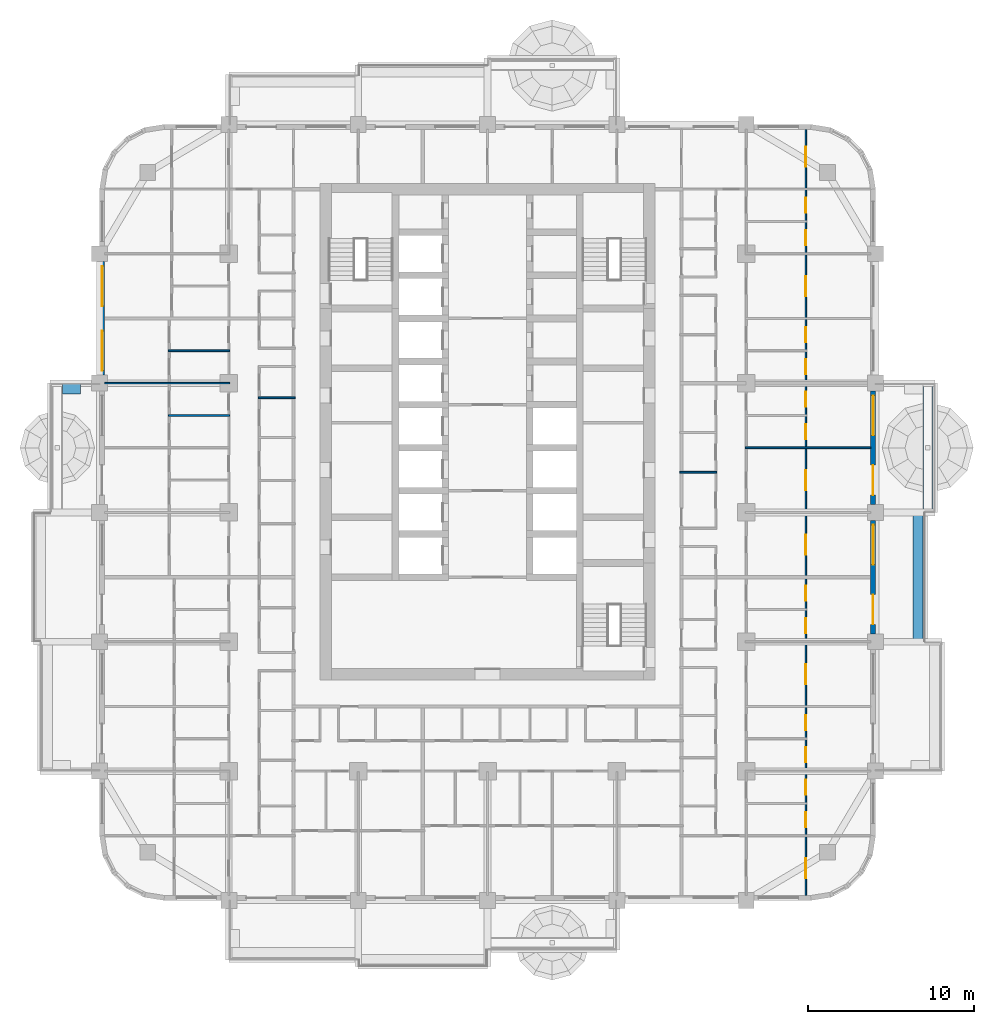
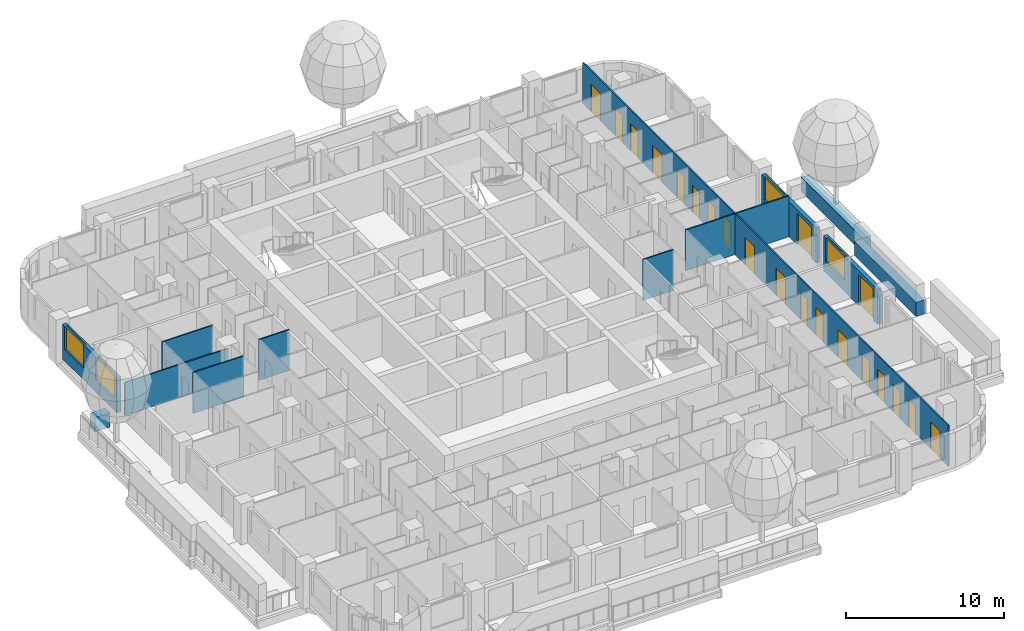
# One storey, part 9 of 18: 20 doors, 13 walls, 4 windows, 24 openings.
"""IFC4 building model written with IfcOpenShell, lengths in metres."""

from ifc_helpers import new_model, si_unit, direction, frame, frame_2d, origin, place, context, subcontext, project, spatial, rectangle, extrude, material, layer, layer_set, type_object, element, fill, save


model = new_model("IFC4")

# Units and contexts
model_context = context("Model", 3, precision=1e-05, world=origin(), true_north=direction((0.0, 1.0)))
body_context = subcontext(model_context, "Body", "Model", "MODEL_VIEW")
ifc_project = project(units=[si_unit("LENGTHUNIT", "METRE"), si_unit("AREAUNIT", "SQUARE_METRE"), si_unit("VOLUMEUNIT", "CUBIC_METRE"), si_unit("PLANEANGLEUNIT", "RADIAN"), si_unit("MASSUNIT", "GRAM", prefix="KILO")], contexts=[model_context])

# Site, building, storey
site_placement = place(None, origin())
site = spatial("IfcSite", under=ifc_project, at=site_placement, CompositionType="ELEMENT")
building_placement = place(site_placement, origin())
building = spatial("IfcBuilding", under=site, at=building_placement, Name="Ludao Terraces", CompositionType="ELEMENT")
storey_placement = place(building_placement, frame((0.0, 0.0, 58.0)))
storey = spatial("IfcBuildingStorey", under=building, at=storey_placement, Name="L15", CompositionType="ELEMENT", Elevation=58.0)

# Walls
ifc_material_1 = material(Name="Concrete C40", Category="concrete")
ifc_layer_1 = layer(ifc_material_1, 0.60009765625)
ifc_layer_set_1 = layer_set([ifc_layer_1], Name="ENV Planter trough 600")
wall_type_1 = type_object("IfcWallType", Name="ENV Planter trough 600", PredefinedType="USERDEFINED", material=ifc_layer_set_1)
for number, where, z_axis, x_axis, name in (
    (1, (110.949951171875, 57.199951171875, 0.0), (0.0, 0.0, 1.0), (0.0, 1.0, 0.0), "PL-L15-E2"),
    (2, (111.550048828125, 65.0, 0.0), (0.0, 0.0, 1.0), (0.0, 1.0, 0.0), "PL-L15-E3"),
):
    element("IfcWall", number, at=place(storey_placement, frame(where, z_axis=z_axis, x_axis=x_axis)), inside=storey, type_object=wall_type_1, Name=name, ObjectType="PLANTER", PredefinedType="USERDEFINED", context=body_context, shape_type="SweptSolid", body=[
        extrude(rectangle(XDim=7.800048828125, YDim=0.60009765625, at=frame_2d((3.89990234375, 0.0))), origin(), (0.0, 0.0, 1.0), 1.10009765625),
    ])
wall_1_placement = place(storey_placement, frame((59.35009765625, 72.449951171875, 0.0), z_axis=(0.0, 0.0, 1.0), x_axis=(1.0, 0.0, 0.0)))
element("IfcWall", 3, at=wall_1_placement, inside=storey, type_object=wall_type_1, Name="PL-L15-W3-SB", ObjectType="PLANTER", PredefinedType="USERDEFINED", context=body_context, shape_type="SweptSolid", body=[
    extrude(rectangle(XDim=1.099853515625, YDim=0.60009765625, at=frame_2d((0.5498046875, 0.0))), origin(), (0.0, 0.0, 1.0), 1.10009765625),
])

# Wall, openings, door, window
ifc_material_2 = material(Name="Granite cladding", Category="masonry")
ifc_layer_2 = layer(ifc_material_2, 0.0400390625, Category="stone")
ifc_material_3 = material(Name="Mineral wool")
ifc_layer_3 = layer(ifc_material_3, 0.06005859375)
ifc_layer_4 = layer(ifc_material_1, 0.199951171875, Category="concrete")
ifc_layer_set_2 = layer_set([ifc_layer_2, ifc_layer_3, ifc_layer_4], Name="ENV Stone-clad wall 300")
wall_type_2 = type_object("IfcWallType", Name="ENV Stone-clad wall 300", PredefinedType="SOLIDWALL", material=ifc_layer_set_2)
wall_2_placement = place(storey_placement, frame((108.25, 57.675048828125, 0.0), z_axis=(0.0, 0.0, 1.0), x_axis=(0.0, 1.0, 0.0)))
wall_2 = element("IfcWall", 4, at=wall_2_placement, inside=storey, type_object=wall_type_2, Name="EW-L15-E3", PredefinedType="SOLIDWALL", context=body_context, shape_type="SweptSolid", body=[
    extrude(rectangle(XDim=6.849853515625, YDim=0.300048828125, at=frame_2d((3.4248046875, 0.0))), origin(), (0.0, 0.0, 1.0), 2.699951171875),
])
opening_1_placement = place(wall_2_placement, frame((0.574951171875, 0.0, 0.0)))
opening_1 = element("IfcOpeningElement", 5, at=opening_1_placement, cuts=wall_2, Name="Opening BD", PredefinedType="OPENING", context=body_context, shape_type="SweptSolid", body=[
    extrude(rectangle(XDim=1.800048828125, YDim=2.39990234375, at=frame_2d((0.89990234375, 1.199951171875))), frame((0.0, 0.16015625, 0.0), z_axis=(0.0, -1.0, 0.0), x_axis=(1.0, 0.0, 0.0)), (0.0, 0.0, 1.0), 0.320068359375),
])
opening_2_placement = place(wall_2_placement, frame((4.175048828125, 0.0, 0.89990234375)))
opening_2 = element("IfcOpeningElement", 6, at=opening_2_placement, cuts=wall_2, Name="Opening W1", PredefinedType="OPENING", context=body_context, shape_type="SweptSolid", body=[
    extrude(rectangle(XDim=2.39990234375, YDim=1.800048828125, at=frame_2d((1.199951171875, 0.89990234375))), frame((0.0, 0.16015625, 0.0), z_axis=(0.0, -1.0, 0.0), x_axis=(1.0, 0.0, 0.0)), (0.0, 0.0, 1.0), 0.320068359375),
])
ifc_material_4 = material(Name="Aluminium glazed door", Category="aluminium")
ifc_layer_5 = layer(ifc_material_4, 0.06005859375)
ifc_layer_set_3 = layer_set([ifc_layer_5], Name="ENV Balcony door BD 1800x2400")
door_type_1 = type_object("IfcDoorType", Name="ENV Balcony door BD 1800x2400", OperationType="DOUBLE_DOOR_SINGLE_SWING", PredefinedType="DOOR", material=ifc_layer_set_3)
door_1_placement = place(opening_1_placement, origin())
door_1 = element("IfcDoor", 7, at=door_1_placement, inside=storey, type_object=door_type_1, Name="BD-L15-E3-1", OperationType="DOUBLE_DOOR_SINGLE_SWING", OverallHeight=2.39990234375, OverallWidth=1.800048828125, PredefinedType="DOOR", context=body_context, shape_type="SweptSolid", body=[
    extrude(rectangle(XDim=1.800048828125, YDim=2.39990234375, at=frame_2d((0.89990234375, 1.199951171875))), frame((0.0, 0.02490234375, 0.0), z_axis=(0.0, -1.0, 0.0), x_axis=(1.0, 0.0, 0.0)), (0.0, 0.0, 1.0), 0.050048828125),
])
fill(opening_1, door_1)
ifc_material_5 = material(Name="Clear glass in aluminium frame", Category="aluminium")
ifc_layer_6 = layer(ifc_material_5, 0.06005859375)
ifc_layer_set_4 = layer_set([ifc_layer_6], Name="ENV Window W1 2400x1800")
window_type = type_object("IfcWindowType", Name="ENV Window W1 2400x1800", PartitioningType="DOUBLE_PANEL_VERTICAL", PredefinedType="WINDOW", material=ifc_layer_set_4)
window_1_placement = place(opening_2_placement, origin())
window_1 = element("IfcWindow", 8, at=window_1_placement, inside=storey, type_object=window_type, Name="W-L15-E3-2", OverallHeight=1.800048828125, OverallWidth=2.39990234375, PartitioningType="DOUBLE_PANEL_VERTICAL", PredefinedType="WINDOW", context=body_context, shape_type="SweptSolid", body=[
    extrude(rectangle(XDim=2.39990234375, YDim=1.800048828125, at=frame_2d((1.199951171875, 0.89990234375))), frame((0.0, 0.030029296875, 0.0), z_axis=(0.0, -1.0, 0.0), x_axis=(1.0, 0.0, 0.0)), (0.0, 0.0, 1.0), 0.06005859375),
])
fill(opening_2, window_1)

wall_3_placement = place(storey_placement, frame((108.25, 65.47509765625, 0.0), z_axis=(0.0, 0.0, 1.0), x_axis=(0.0, 1.0, 0.0)))
wall_3 = element("IfcWall", 9, at=wall_3_placement, inside=storey, type_object=wall_type_2, Name="EW-L15-E4", PredefinedType="SOLIDWALL", context=body_context, shape_type="SweptSolid", body=[
    extrude(rectangle(XDim=6.849853515625, YDim=0.300048828125, at=frame_2d((3.4248046875, 0.0))), origin(), (0.0, 0.0, 1.0), 2.699951171875),
])
opening_3_placement = place(wall_3_placement, frame((0.574951171875, 0.0, 0.0)))
opening_3 = element("IfcOpeningElement", 10, at=opening_3_placement, cuts=wall_3, Name="Opening BD", PredefinedType="OPENING", context=body_context, shape_type="SweptSolid", body=[
    extrude(rectangle(XDim=1.800048828125, YDim=2.39990234375, at=frame_2d((0.89990234375, 1.199951171875))), frame((0.0, 0.16015625, 0.0), z_axis=(0.0, -1.0, 0.0), x_axis=(1.0, 0.0, 0.0)), (0.0, 0.0, 1.0), 0.320068359375),
])
opening_4_placement = place(wall_3_placement, frame((4.175048828125, 0.0, 0.89990234375)))
opening_4 = element("IfcOpeningElement", 11, at=opening_4_placement, cuts=wall_3, Name="Opening W1", PredefinedType="OPENING", context=body_context, shape_type="SweptSolid", body=[
    extrude(rectangle(XDim=2.39990234375, YDim=1.800048828125, at=frame_2d((1.199951171875, 0.89990234375))), frame((0.0, 0.16015625, 0.0), z_axis=(0.0, -1.0, 0.0), x_axis=(1.0, 0.0, 0.0)), (0.0, 0.0, 1.0), 0.320068359375),
])
door_2_placement = place(opening_3_placement, origin())
door_2 = element("IfcDoor", 12, at=door_2_placement, inside=storey, type_object=door_type_1, Name="BD-L15-E4-1", OperationType="DOUBLE_DOOR_SINGLE_SWING", OverallHeight=2.39990234375, OverallWidth=1.800048828125, PredefinedType="DOOR", context=body_context, shape_type="SweptSolid", body=[
    extrude(rectangle(XDim=1.800048828125, YDim=2.39990234375, at=frame_2d((0.89990234375, 1.199951171875))), frame((0.0, 0.02490234375, 0.0), z_axis=(0.0, -1.0, 0.0), x_axis=(1.0, 0.0, 0.0)), (0.0, 0.0, 1.0), 0.050048828125),
])
fill(opening_3, door_2)
window_2_placement = place(opening_4_placement, origin())
window_2 = element("IfcWindow", 13, at=window_2_placement, inside=storey, type_object=window_type, Name="W-L15-E4-2", OverallHeight=1.800048828125, OverallWidth=2.39990234375, PartitioningType="DOUBLE_PANEL_VERTICAL", PredefinedType="WINDOW", context=body_context, shape_type="SweptSolid", body=[
    extrude(rectangle(XDim=2.39990234375, YDim=1.800048828125, at=frame_2d((1.199951171875, 0.89990234375))), frame((0.0, 0.030029296875, 0.0), z_axis=(0.0, -1.0, 0.0), x_axis=(1.0, 0.0, 0.0)), (0.0, 0.0, 1.0), 0.06005859375),
])
fill(opening_4, window_2)

# Wall, openings, windows
wall_4_placement = place(storey_placement, frame((61.75, 73.27490234375, 0.0), z_axis=(0.0, 0.0, 1.0), x_axis=(0.0, 1.0, 0.0)))
wall_4 = element("IfcWall", 14, at=wall_4_placement, inside=storey, type_object=wall_type_2, Name="EW-L15-W5", PredefinedType="SOLIDWALL", context=body_context, shape_type="SweptSolid", body=[
    extrude(rectangle(XDim=6.85009765625, YDim=0.300048828125, at=frame_2d((3.425048828125, 0.0))), origin(), (0.0, 0.0, 1.0), 2.699951171875),
])
opening_5_placement = place(wall_4_placement, frame((0.27490234375, 0.0, 0.89990234375)))
opening_5 = element("IfcOpeningElement", 15, at=opening_5_placement, cuts=wall_4, Name="Opening W1", PredefinedType="OPENING", context=body_context, shape_type="SweptSolid", body=[
    extrude(rectangle(XDim=2.39990234375, YDim=1.800048828125, at=frame_2d((1.199951171875, 0.89990234375))), frame((0.0, 0.16015625, 0.0), z_axis=(0.0, -1.0, 0.0), x_axis=(1.0, 0.0, 0.0)), (0.0, 0.0, 1.0), 0.320068359375),
])
opening_6_placement = place(wall_4_placement, frame((4.175048828125, 0.0, 0.89990234375)))
opening_6 = element("IfcOpeningElement", 16, at=opening_6_placement, cuts=wall_4, Name="Opening W1", PredefinedType="OPENING", context=body_context, shape_type="SweptSolid", body=[
    extrude(rectangle(XDim=2.39990234375, YDim=1.800048828125, at=frame_2d((1.199951171875, 0.89990234375))), frame((0.0, 0.16015625, 0.0), z_axis=(0.0, -1.0, 0.0), x_axis=(1.0, 0.0, 0.0)), (0.0, 0.0, 1.0), 0.320068359375),
])
window_3_placement = place(opening_5_placement, origin())
window_3 = element("IfcWindow", 17, at=window_3_placement, inside=storey, type_object=window_type, Name="W-L15-W5-1", OverallHeight=1.800048828125, OverallWidth=2.39990234375, PartitioningType="DOUBLE_PANEL_VERTICAL", PredefinedType="WINDOW", context=body_context, shape_type="SweptSolid", body=[
    extrude(rectangle(XDim=2.39990234375, YDim=1.800048828125, at=frame_2d((1.199951171875, 0.89990234375))), frame((0.0, 0.030029296875, 0.0), z_axis=(0.0, -1.0, 0.0), x_axis=(1.0, 0.0, 0.0)), (0.0, 0.0, 1.0), 0.06005859375),
])
fill(opening_5, window_3)
window_4_placement = place(opening_6_placement, origin())
window_4 = element("IfcWindow", 18, at=window_4_placement, inside=storey, type_object=window_type, Name="W-L15-W5-2", OverallHeight=1.800048828125, OverallWidth=2.39990234375, PartitioningType="DOUBLE_PANEL_VERTICAL", PredefinedType="WINDOW", context=body_context, shape_type="SweptSolid", body=[
    extrude(rectangle(XDim=2.39990234375, YDim=1.800048828125, at=frame_2d((1.199951171875, 0.89990234375))), frame((0.0, 0.030029296875, 0.0), z_axis=(0.0, -1.0, 0.0), x_axis=(1.0, 0.0, 0.0)), (0.0, 0.0, 1.0), 0.06005859375),
])
fill(opening_6, window_4)

# Walls
ifc_material_6 = material(Name="Gypsum plasterboard", Category="gypsum")
ifc_layer_7 = layer(ifc_material_6, 0.012451171875, Category="gypsum")
ifc_layer_8 = layer(ifc_material_3, 0.06005859375, Name="insulation")
ifc_material_7 = material(Name="Steel Q235", Category="steel")
ifc_layer_9 = layer(ifc_material_7, 0.014892578125, Name="stud")
ifc_layer_10 = layer(ifc_material_6, 0.012451171875, Category="gypsum")
ifc_layer_set_5 = layer_set([ifc_layer_7, ifc_layer_8, ifc_layer_9, ifc_layer_10], Name="INT Partition 100")
wall_type_3 = type_object("IfcWallType", Name="INT Partition 100", PredefinedType="PARTITIONING", material=ifc_layer_set_5)
wall_5_placement = place(storey_placement, frame((96.60009765625, 67.419921875, 0.0), z_axis=(0.0, 0.0, 1.0), x_axis=(1.0, 0.0, 0.0)))
element("IfcWall", 19, at=wall_5_placement, inside=storey, type_object=wall_type_3, Name="PW-L15-PW044", PredefinedType="PARTITIONING", context=body_context, shape_type="SweptSolid", body=[
    extrude(rectangle(XDim=2.219970703125, YDim=0.10009765625, at=frame_2d((1.10986328125, 0.0))), origin(), (0.0, 0.0, 1.0), 3.14990234375),
])
wall_6_placement = place(storey_placement, frame((100.550048828125, 68.89990234375, 0.0), z_axis=(0.0, 0.0, 1.0), x_axis=(1.0, 0.0, 0.0)))
element("IfcWall", 20, at=wall_6_placement, inside=storey, type_object=wall_type_3, Name="PW-L15-PW046", PredefinedType="PARTITIONING", context=body_context, shape_type="SweptSolid", body=[
    extrude(rectangle(XDim=7.550048828125, YDim=0.10009765625, at=frame_2d((3.77490234375, 0.0))), origin(), (0.0, 0.0, 1.0), 3.14990234375),
])
wall_7_placement = place(storey_placement, frame((65.75, 70.85009765625, 0.0), z_axis=(0.0, 0.0, 1.0), x_axis=(1.0, 0.0, 0.0)))
element("IfcWall", 21, at=wall_7_placement, inside=storey, type_object=wall_type_3, Name="PW-L15-PW051", PredefinedType="PARTITIONING", context=body_context, shape_type="SweptSolid", body=[
    extrude(rectangle(XDim=3.7001953125, YDim=0.10009765625, at=frame_2d((1.85009765625, 0.0))), origin(), (0.0, 0.0, 1.0), 3.14990234375),
])
wall_8_placement = place(storey_placement, frame((71.18017578125, 71.919921875, 0.0), z_axis=(0.0, 0.0, 1.0), x_axis=(1.0, 0.0, 0.0)))
element("IfcWall", 22, at=wall_8_placement, inside=storey, type_object=wall_type_3, Name="PW-L15-PW054", PredefinedType="PARTITIONING", context=body_context, shape_type="SweptSolid", body=[
    extrude(rectangle(XDim=2.219970703125, YDim=0.10009765625, at=frame_2d((1.10986328125, 0.0))), origin(), (0.0, 0.0, 1.0), 3.14990234375),
])
wall_9_placement = place(storey_placement, frame((61.900146484375, 72.800048828125, 0.0), z_axis=(0.0, 0.0, 1.0), x_axis=(1.0, 0.0, 0.0)))
element("IfcWall", 23, at=wall_9_placement, inside=storey, type_object=wall_type_3, Name="PW-L15-PW055", PredefinedType="PARTITIONING", context=body_context, shape_type="SweptSolid", body=[
    extrude(rectangle(XDim=7.550048828125, YDim=0.10009765625, at=frame_2d((3.77490234375, 0.0))), origin(), (0.0, 0.0, 1.0), 2.550048828125),
])
wall_10_placement = place(storey_placement, frame((65.75, 74.75, 0.0), z_axis=(0.0, 0.0, 1.0), x_axis=(1.0, 0.0, 0.0)))
element("IfcWall", 24, at=wall_10_placement, inside=storey, type_object=wall_type_3, Name="PW-L15-PW058", PredefinedType="PARTITIONING", context=body_context, shape_type="SweptSolid", body=[
    extrude(rectangle(XDim=3.7001953125, YDim=0.10009765625, at=frame_2d((1.85009765625, 0.0))), origin(), (0.0, 0.0, 1.0), 3.14990234375),
])

# Wall, openings, doors
wall_11_placement = place(storey_placement, frame((104.199951171875, 41.900146484375, 0.0), z_axis=(0.0, 0.0, 1.0), x_axis=(0.0, 1.0, 0.0)))
wall_11 = element("IfcWall", 25, at=wall_11_placement, inside=storey, type_object=wall_type_3, Name="PW-L15-PW121", PredefinedType="PARTITIONING", context=body_context, shape_type="SweptSolid", body=[
    extrude(rectangle(XDim=46.199951171875, YDim=0.10009765625, at=frame_2d((23.10009765625, 0.0))), origin(), (0.0, 0.0, 1.0), 3.14990234375),
])
opening_7_placement = place(wall_11_placement, frame((1.050048828125, 0.0, 0.0)))
opening_7 = element("IfcOpeningElement", 26, at=opening_7_placement, cuts=wall_11, Name="Opening R04-004", PredefinedType="OPENING", context=body_context, shape_type="SweptSolid", body=[
    extrude(rectangle(XDim=1.199951171875, YDim=2.10009765625, at=frame_2d((0.60009765625, 1.050048828125))), frame((0.0, 0.06005859375, 0.0), z_axis=(0.0, -1.0, 0.0), x_axis=(1.0, 0.0, 0.0)), (0.0, 0.0, 1.0), 0.1201171875),
])
opening_8_placement = place(wall_11_placement, frame((4.125, 0.0, 0.0)))
opening_8 = element("IfcOpeningElement", 27, at=opening_8_placement, cuts=wall_11, Name="Opening R04-019", PredefinedType="OPENING", context=body_context, shape_type="SweptSolid", body=[
    extrude(rectangle(XDim=0.89990234375, YDim=2.10009765625, at=frame_2d((0.449951171875, 1.050048828125))), frame((0.0, 0.06005859375, 0.0), z_axis=(0.0, -1.0, 0.0), x_axis=(1.0, 0.0, 0.0)), (0.0, 0.0, 1.0), 0.1201171875),
])
opening_9_placement = place(wall_11_placement, frame((6.074951171875, 0.0, 0.0)))
opening_9 = element("IfcOpeningElement", 28, at=opening_9_placement, cuts=wall_11, Name="Opening R04-023", PredefinedType="OPENING", context=body_context, shape_type="SweptSolid", body=[
    extrude(rectangle(XDim=0.89990234375, YDim=2.10009765625, at=frame_2d((0.449951171875, 1.050048828125))), frame((0.0, 0.06005859375, 0.0), z_axis=(0.0, -1.0, 0.0), x_axis=(1.0, 0.0, 0.0)), (0.0, 0.0, 1.0), 0.1201171875),
])
opening_10_placement = place(wall_11_placement, frame((8.02490234375, 0.0, 0.0)))
opening_10 = element("IfcOpeningElement", 29, at=opening_10_placement, cuts=wall_11, Name="Opening R04-033", PredefinedType="OPENING", context=body_context, shape_type="SweptSolid", body=[
    extrude(rectangle(XDim=0.89990234375, YDim=2.10009765625, at=frame_2d((0.449951171875, 1.050048828125))), frame((0.0, 0.06005859375, 0.0), z_axis=(0.0, -1.0, 0.0), x_axis=(1.0, 0.0, 0.0)), (0.0, 0.0, 1.0), 0.1201171875),
])
opening_11_placement = place(wall_11_placement, frame((9.97509765625, 0.0, 0.0)))
opening_11 = element("IfcOpeningElement", 30, at=opening_11_placement, cuts=wall_11, Name="Opening R04-048", PredefinedType="OPENING", context=body_context, shape_type="SweptSolid", body=[
    extrude(rectangle(XDim=0.89990234375, YDim=2.10009765625, at=frame_2d((0.449951171875, 1.050048828125))), frame((0.0, 0.06005859375, 0.0), z_axis=(0.0, -1.0, 0.0), x_axis=(1.0, 0.0, 0.0)), (0.0, 0.0, 1.0), 0.1201171875),
])
opening_12_placement = place(wall_11_placement, frame((12.75, 0.0, 0.0)))
opening_12 = element("IfcOpeningElement", 31, at=opening_12_placement, cuts=wall_11, Name="Opening R04-057", PredefinedType="OPENING", context=body_context, shape_type="SweptSolid", body=[
    extrude(rectangle(XDim=1.199951171875, YDim=2.10009765625, at=frame_2d((0.60009765625, 1.050048828125))), frame((0.0, 0.06005859375, 0.0), z_axis=(0.0, -1.0, 0.0), x_axis=(1.0, 0.0, 0.0)), (0.0, 0.0, 1.0), 0.1201171875),
])
opening_13_placement = place(wall_11_placement, frame((15.824951171875, 0.0, 0.0)))
opening_13 = element("IfcOpeningElement", 32, at=opening_13_placement, cuts=wall_11, Name="Opening R04-065", PredefinedType="OPENING", context=body_context, shape_type="SweptSolid", body=[
    extrude(rectangle(XDim=0.89990234375, YDim=2.10009765625, at=frame_2d((0.449951171875, 1.050048828125))), frame((0.0, 0.06005859375, 0.0), z_axis=(0.0, -1.0, 0.0), x_axis=(1.0, 0.0, 0.0)), (0.0, 0.0, 1.0), 0.1201171875),
])
opening_14_placement = place(wall_11_placement, frame((17.77490234375, 0.0, 0.0)))
opening_14 = element("IfcOpeningElement", 33, at=opening_14_placement, cuts=wall_11, Name="Opening R04-070", PredefinedType="OPENING", context=body_context, shape_type="SweptSolid", body=[
    extrude(rectangle(XDim=0.89990234375, YDim=2.10009765625, at=frame_2d((0.449951171875, 1.050048828125))), frame((0.0, 0.06005859375, 0.0), z_axis=(0.0, -1.0, 0.0), x_axis=(1.0, 0.0, 0.0)), (0.0, 0.0, 1.0), 0.1201171875),
])
opening_15_placement = place(wall_11_placement, frame((20.550048828125, 0.0, 0.0)))
opening_15 = element("IfcOpeningElement", 34, at=opening_15_placement, cuts=wall_11, Name="Opening R04-080", PredefinedType="OPENING", context=body_context, shape_type="SweptSolid", body=[
    extrude(rectangle(XDim=1.199951171875, YDim=2.10009765625, at=frame_2d((0.60009765625, 1.050048828125))), frame((0.0, 0.06005859375, 0.0), z_axis=(0.0, -1.0, 0.0), x_axis=(1.0, 0.0, 0.0)), (0.0, 0.0, 1.0), 0.1201171875),
])
opening_16_placement = place(wall_11_placement, frame((24.449951171875, 0.0, 0.0)))
opening_16 = element("IfcOpeningElement", 35, at=opening_16_placement, cuts=wall_11, Name="Opening R04-089", PredefinedType="OPENING", context=body_context, shape_type="SweptSolid", body=[
    extrude(rectangle(XDim=1.199951171875, YDim=2.10009765625, at=frame_2d((0.60009765625, 1.050048828125))), frame((0.0, 0.06005859375, 0.0), z_axis=(0.0, -1.0, 0.0), x_axis=(1.0, 0.0, 0.0)), (0.0, 0.0, 1.0), 0.1201171875),
])
opening_17_placement = place(wall_11_placement, frame((27.52490234375, 0.0, 0.0)))
opening_17 = element("IfcOpeningElement", 36, at=opening_17_placement, cuts=wall_11, Name="Opening R04-098", PredefinedType="OPENING", context=body_context, shape_type="SweptSolid", body=[
    extrude(rectangle(XDim=0.89990234375, YDim=2.10009765625, at=frame_2d((0.449951171875, 1.050048828125))), frame((0.0, 0.06005859375, 0.0), z_axis=(0.0, -1.0, 0.0), x_axis=(1.0, 0.0, 0.0)), (0.0, 0.0, 1.0), 0.1201171875),
])
opening_18_placement = place(wall_11_placement, frame((29.47509765625, 0.0, 0.0)))
opening_18 = element("IfcOpeningElement", 37, at=opening_18_placement, cuts=wall_11, Name="Opening R04-106", PredefinedType="OPENING", context=body_context, shape_type="SweptSolid", body=[
    extrude(rectangle(XDim=0.89990234375, YDim=2.10009765625, at=frame_2d((0.449951171875, 1.050048828125))), frame((0.0, 0.06005859375, 0.0), z_axis=(0.0, -1.0, 0.0), x_axis=(1.0, 0.0, 0.0)), (0.0, 0.0, 1.0), 0.1201171875),
])
opening_19_placement = place(wall_11_placement, frame((31.425048828125, 0.0, 0.0)))
opening_19 = element("IfcOpeningElement", 38, at=opening_19_placement, cuts=wall_11, Name="Opening R04-113", PredefinedType="OPENING", context=body_context, shape_type="SweptSolid", body=[
    extrude(rectangle(XDim=0.89990234375, YDim=2.10009765625, at=frame_2d((0.449951171875, 1.050048828125))), frame((0.0, 0.06005859375, 0.0), z_axis=(0.0, -1.0, 0.0), x_axis=(1.0, 0.0, 0.0)), (0.0, 0.0, 1.0), 0.1201171875),
])
opening_20_placement = place(wall_11_placement, frame((33.375, 0.0, 0.0)))
opening_20 = element("IfcOpeningElement", 39, at=opening_20_placement, cuts=wall_11, Name="Opening R04-123", PredefinedType="OPENING", context=body_context, shape_type="SweptSolid", body=[
    extrude(rectangle(XDim=0.89990234375, YDim=2.10009765625, at=frame_2d((0.449951171875, 1.050048828125))), frame((0.0, 0.06005859375, 0.0), z_axis=(0.0, -1.0, 0.0), x_axis=(1.0, 0.0, 0.0)), (0.0, 0.0, 1.0), 0.1201171875),
])
opening_21_placement = place(wall_11_placement, frame((36.14990234375, 0.0, 0.0)))
opening_21 = element("IfcOpeningElement", 40, at=opening_21_placement, cuts=wall_11, Name="Opening R04-134", PredefinedType="OPENING", context=body_context, shape_type="SweptSolid", body=[
    extrude(rectangle(XDim=1.199951171875, YDim=2.10009765625, at=frame_2d((0.60009765625, 1.050048828125))), frame((0.0, 0.06005859375, 0.0), z_axis=(0.0, -1.0, 0.0), x_axis=(1.0, 0.0, 0.0)), (0.0, 0.0, 1.0), 0.1201171875),
])
opening_22_placement = place(wall_11_placement, frame((39.22509765625, 0.0, 0.0)))
opening_22 = element("IfcOpeningElement", 41, at=opening_22_placement, cuts=wall_11, Name="Opening R04-143", PredefinedType="OPENING", context=body_context, shape_type="SweptSolid", body=[
    extrude(rectangle(XDim=0.89990234375, YDim=2.10009765625, at=frame_2d((0.449951171875, 1.050048828125))), frame((0.0, 0.06005859375, 0.0), z_axis=(0.0, -1.0, 0.0), x_axis=(1.0, 0.0, 0.0)), (0.0, 0.0, 1.0), 0.1201171875),
])
opening_23_placement = place(wall_11_placement, frame((41.175048828125, 0.0, 0.0)))
opening_23 = element("IfcOpeningElement", 42, at=opening_23_placement, cuts=wall_11, Name="Opening R04-151", PredefinedType="OPENING", context=body_context, shape_type="SweptSolid", body=[
    extrude(rectangle(XDim=0.89990234375, YDim=2.10009765625, at=frame_2d((0.449951171875, 1.050048828125))), frame((0.0, 0.06005859375, 0.0), z_axis=(0.0, -1.0, 0.0), x_axis=(1.0, 0.0, 0.0)), (0.0, 0.0, 1.0), 0.1201171875),
])
opening_24_placement = place(wall_11_placement, frame((43.949951171875, 0.0, 0.0)))
opening_24 = element("IfcOpeningElement", 43, at=opening_24_placement, cuts=wall_11, Name="Opening R04-164", PredefinedType="OPENING", context=body_context, shape_type="SweptSolid", body=[
    extrude(rectangle(XDim=1.199951171875, YDim=2.10009765625, at=frame_2d((0.60009765625, 1.050048828125))), frame((0.0, 0.06005859375, 0.0), z_axis=(0.0, -1.0, 0.0), x_axis=(1.0, 0.0, 0.0)), (0.0, 0.0, 1.0), 0.1201171875),
])
ifc_material_8 = material(Name="Timber door leaf", Category="wood")
door_type_2 = type_object("IfcDoorType", Name="INT Bathroom door 900", OperationType="SINGLE_SWING_LEFT", PredefinedType="DOOR", material=ifc_material_8)
door_3_placement = place(opening_8_placement, origin())
door_3 = element("IfcDoor", 44, at=door_3_placement, inside=storey, type_object=door_type_2, Name="DOOR 019", OperationType="SINGLE_SWING_LEFT", OverallHeight=2.10009765625, OverallWidth=0.89990234375, PredefinedType="DOOR", context=body_context, shape_type="SweptSolid", body=[
    extrude(rectangle(XDim=0.89990234375, YDim=2.10009765625, at=frame_2d((0.449951171875, 1.050048828125))), frame((0.0, 0.02490234375, 0.0), z_axis=(0.0, -1.0, 0.0), x_axis=(1.0, 0.0, 0.0)), (0.0, 0.0, 1.0), 0.050048828125),
])
fill(opening_8, door_3)
door_4_placement = place(opening_10_placement, origin())
door_4 = element("IfcDoor", 45, at=door_4_placement, inside=storey, type_object=door_type_2, Name="DOOR 033", OperationType="SINGLE_SWING_LEFT", OverallHeight=2.10009765625, OverallWidth=0.89990234375, PredefinedType="DOOR", context=body_context, shape_type="SweptSolid", body=[
    extrude(rectangle(XDim=0.89990234375, YDim=2.10009765625, at=frame_2d((0.449951171875, 1.050048828125))), frame((0.0, 0.02490234375, 0.0), z_axis=(0.0, -1.0, 0.0), x_axis=(1.0, 0.0, 0.0)), (0.0, 0.0, 1.0), 0.050048828125),
])
fill(opening_10, door_4)
door_5_placement = place(opening_13_placement, origin())
door_5 = element("IfcDoor", 46, at=door_5_placement, inside=storey, type_object=door_type_2, Name="DOOR 065", OperationType="SINGLE_SWING_RIGHT", OverallHeight=2.10009765625, OverallWidth=0.89990234375, PredefinedType="DOOR", context=body_context, shape_type="SweptSolid", body=[
    extrude(rectangle(XDim=0.89990234375, YDim=2.10009765625, at=frame_2d((0.449951171875, 1.050048828125))), frame((0.0, 0.02490234375, 0.0), z_axis=(0.0, -1.0, 0.0), x_axis=(1.0, 0.0, 0.0)), (0.0, 0.0, 1.0), 0.050048828125),
])
fill(opening_13, door_5)
door_6_placement = place(opening_17_placement, origin())
door_6 = element("IfcDoor", 47, at=door_6_placement, inside=storey, type_object=door_type_2, Name="DOOR 098", OperationType="SINGLE_SWING_LEFT", OverallHeight=2.10009765625, OverallWidth=0.89990234375, PredefinedType="DOOR", context=body_context, shape_type="SweptSolid", body=[
    extrude(rectangle(XDim=0.89990234375, YDim=2.10009765625, at=frame_2d((0.449951171875, 1.050048828125))), frame((0.0, 0.02490234375, 0.0), z_axis=(0.0, -1.0, 0.0), x_axis=(1.0, 0.0, 0.0)), (0.0, 0.0, 1.0), 0.050048828125),
])
fill(opening_17, door_6)
door_7_placement = place(opening_19_placement, origin())
door_7 = element("IfcDoor", 48, at=door_7_placement, inside=storey, type_object=door_type_2, Name="DOOR 113", OperationType="SINGLE_SWING_LEFT", OverallHeight=2.10009765625, OverallWidth=0.89990234375, PredefinedType="DOOR", context=body_context, shape_type="SweptSolid", body=[
    extrude(rectangle(XDim=0.89990234375, YDim=2.10009765625, at=frame_2d((0.449951171875, 1.050048828125))), frame((0.0, 0.02490234375, 0.0), z_axis=(0.0, -1.0, 0.0), x_axis=(1.0, 0.0, 0.0)), (0.0, 0.0, 1.0), 0.050048828125),
])
fill(opening_19, door_7)
door_8_placement = place(opening_22_placement, origin())
door_8 = element("IfcDoor", 49, at=door_8_placement, inside=storey, type_object=door_type_2, Name="DOOR 143", OperationType="SINGLE_SWING_LEFT", OverallHeight=2.10009765625, OverallWidth=0.89990234375, PredefinedType="DOOR", context=body_context, shape_type="SweptSolid", body=[
    extrude(rectangle(XDim=0.89990234375, YDim=2.10009765625, at=frame_2d((0.449951171875, 1.050048828125))), frame((0.0, 0.02490234375, 0.0), z_axis=(0.0, -1.0, 0.0), x_axis=(1.0, 0.0, 0.0)), (0.0, 0.0, 1.0), 0.050048828125),
])
fill(opening_22, door_8)
door_type_3 = type_object("IfcDoorType", Name="INT Double door 1200", OperationType="DOUBLE_DOOR_SINGLE_SWING", PredefinedType="DOOR", material=ifc_material_8)
door_9_placement = place(opening_7_placement, origin())
door_9 = element("IfcDoor", 50, at=door_9_placement, inside=storey, type_object=door_type_3, Name="DOOR 004", OperationType="DOUBLE_DOOR_SINGLE_SWING", OverallHeight=2.10009765625, OverallWidth=1.199951171875, PredefinedType="DOOR", context=body_context, shape_type="SweptSolid", body=[
    extrude(rectangle(XDim=1.199951171875, YDim=2.10009765625, at=frame_2d((0.60009765625, 1.050048828125))), frame((0.0, 0.02490234375, 0.0), z_axis=(0.0, -1.0, 0.0), x_axis=(1.0, 0.0, 0.0)), (0.0, 0.0, 1.0), 0.050048828125),
])
fill(opening_7, door_9)
door_10_placement = place(opening_12_placement, origin())
door_10 = element("IfcDoor", 51, at=door_10_placement, inside=storey, type_object=door_type_3, Name="DOOR 057", OperationType="DOUBLE_DOOR_SINGLE_SWING", OverallHeight=2.10009765625, OverallWidth=1.199951171875, PredefinedType="DOOR", context=body_context, shape_type="SweptSolid", body=[
    extrude(rectangle(XDim=1.199951171875, YDim=2.10009765625, at=frame_2d((0.60009765625, 1.050048828125))), frame((0.0, 0.02490234375, 0.0), z_axis=(0.0, -1.0, 0.0), x_axis=(1.0, 0.0, 0.0)), (0.0, 0.0, 1.0), 0.050048828125),
])
fill(opening_12, door_10)
door_11_placement = place(opening_15_placement, origin())
door_11 = element("IfcDoor", 52, at=door_11_placement, inside=storey, type_object=door_type_3, Name="DOOR 080", OperationType="DOUBLE_DOOR_SINGLE_SWING", OverallHeight=2.10009765625, OverallWidth=1.199951171875, PredefinedType="DOOR", context=body_context, shape_type="SweptSolid", body=[
    extrude(rectangle(XDim=1.199951171875, YDim=2.10009765625, at=frame_2d((0.60009765625, 1.050048828125))), frame((0.0, 0.02490234375, 0.0), z_axis=(0.0, -1.0, 0.0), x_axis=(1.0, 0.0, 0.0)), (0.0, 0.0, 1.0), 0.050048828125),
])
fill(opening_15, door_11)
door_12_placement = place(opening_16_placement, origin())
door_12 = element("IfcDoor", 53, at=door_12_placement, inside=storey, type_object=door_type_3, Name="DOOR 089", OperationType="DOUBLE_DOOR_SINGLE_SWING", OverallHeight=2.10009765625, OverallWidth=1.199951171875, PredefinedType="DOOR", context=body_context, shape_type="SweptSolid", body=[
    extrude(rectangle(XDim=1.199951171875, YDim=2.10009765625, at=frame_2d((0.60009765625, 1.050048828125))), frame((0.0, 0.02490234375, 0.0), z_axis=(0.0, -1.0, 0.0), x_axis=(1.0, 0.0, 0.0)), (0.0, 0.0, 1.0), 0.050048828125),
])
fill(opening_16, door_12)
door_13_placement = place(opening_21_placement, origin())
door_13 = element("IfcDoor", 54, at=door_13_placement, inside=storey, type_object=door_type_3, Name="DOOR 134", OperationType="DOUBLE_DOOR_SINGLE_SWING", OverallHeight=2.10009765625, OverallWidth=1.199951171875, PredefinedType="DOOR", context=body_context, shape_type="SweptSolid", body=[
    extrude(rectangle(XDim=1.199951171875, YDim=2.10009765625, at=frame_2d((0.60009765625, 1.050048828125))), frame((0.0, 0.02490234375, 0.0), z_axis=(0.0, -1.0, 0.0), x_axis=(1.0, 0.0, 0.0)), (0.0, 0.0, 1.0), 0.050048828125),
])
fill(opening_21, door_13)
door_14_placement = place(opening_24_placement, origin())
door_14 = element("IfcDoor", 55, at=door_14_placement, inside=storey, type_object=door_type_3, Name="DOOR 164", OperationType="DOUBLE_DOOR_SINGLE_SWING", OverallHeight=2.10009765625, OverallWidth=1.199951171875, PredefinedType="DOOR", context=body_context, shape_type="SweptSolid", body=[
    extrude(rectangle(XDim=1.199951171875, YDim=2.10009765625, at=frame_2d((0.60009765625, 1.050048828125))), frame((0.0, 0.02490234375, 0.0), z_axis=(0.0, -1.0, 0.0), x_axis=(1.0, 0.0, 0.0)), (0.0, 0.0, 1.0), 0.050048828125),
])
fill(opening_24, door_14)
door_type_4 = type_object("IfcDoorType", Name="INT Room door 900", OperationType="SINGLE_SWING_LEFT", PredefinedType="DOOR", material=ifc_material_8)
door_15_placement = place(opening_9_placement, origin())
door_15 = element("IfcDoor", 56, at=door_15_placement, inside=storey, type_object=door_type_4, Name="DOOR 023", OperationType="SINGLE_SWING_RIGHT", OverallHeight=2.10009765625, OverallWidth=0.89990234375, PredefinedType="DOOR", context=body_context, shape_type="SweptSolid", body=[
    extrude(rectangle(XDim=0.89990234375, YDim=2.10009765625, at=frame_2d((0.449951171875, 1.050048828125))), frame((0.0, 0.02490234375, 0.0), z_axis=(0.0, -1.0, 0.0), x_axis=(1.0, 0.0, 0.0)), (0.0, 0.0, 1.0), 0.050048828125),
])
fill(opening_9, door_15)
door_16_placement = place(opening_11_placement, origin())
door_16 = element("IfcDoor", 57, at=door_16_placement, inside=storey, type_object=door_type_4, Name="DOOR 048", OperationType="SINGLE_SWING_LEFT", OverallHeight=2.10009765625, OverallWidth=0.89990234375, PredefinedType="DOOR", context=body_context, shape_type="SweptSolid", body=[
    extrude(rectangle(XDim=0.89990234375, YDim=2.10009765625, at=frame_2d((0.449951171875, 1.050048828125))), frame((0.0, 0.02490234375, 0.0), z_axis=(0.0, -1.0, 0.0), x_axis=(1.0, 0.0, 0.0)), (0.0, 0.0, 1.0), 0.050048828125),
])
fill(opening_11, door_16)
door_17_placement = place(opening_14_placement, origin())
door_17 = element("IfcDoor", 58, at=door_17_placement, inside=storey, type_object=door_type_4, Name="DOOR 070", OperationType="SINGLE_SWING_RIGHT", OverallHeight=2.10009765625, OverallWidth=0.89990234375, PredefinedType="DOOR", context=body_context, shape_type="SweptSolid", body=[
    extrude(rectangle(XDim=0.89990234375, YDim=2.10009765625, at=frame_2d((0.449951171875, 1.050048828125))), frame((0.0, 0.02490234375, 0.0), z_axis=(0.0, -1.0, 0.0), x_axis=(1.0, 0.0, 0.0)), (0.0, 0.0, 1.0), 0.050048828125),
])
fill(opening_14, door_17)
door_18_placement = place(opening_18_placement, origin())
door_18 = element("IfcDoor", 59, at=door_18_placement, inside=storey, type_object=door_type_4, Name="DOOR 106", OperationType="SINGLE_SWING_RIGHT", OverallHeight=2.10009765625, OverallWidth=0.89990234375, PredefinedType="DOOR", context=body_context, shape_type="SweptSolid", body=[
    extrude(rectangle(XDim=0.89990234375, YDim=2.10009765625, at=frame_2d((0.449951171875, 1.050048828125))), frame((0.0, 0.02490234375, 0.0), z_axis=(0.0, -1.0, 0.0), x_axis=(1.0, 0.0, 0.0)), (0.0, 0.0, 1.0), 0.050048828125),
])
fill(opening_18, door_18)
door_19_placement = place(opening_20_placement, origin())
door_19 = element("IfcDoor", 60, at=door_19_placement, inside=storey, type_object=door_type_4, Name="DOOR 123", OperationType="SINGLE_SWING_RIGHT", OverallHeight=2.10009765625, OverallWidth=0.89990234375, PredefinedType="DOOR", context=body_context, shape_type="SweptSolid", body=[
    extrude(rectangle(XDim=0.89990234375, YDim=2.10009765625, at=frame_2d((0.449951171875, 1.050048828125))), frame((0.0, 0.02490234375, 0.0), z_axis=(0.0, -1.0, 0.0), x_axis=(1.0, 0.0, 0.0)), (0.0, 0.0, 1.0), 0.050048828125),
])
fill(opening_20, door_19)
door_20_placement = place(opening_23_placement, origin())
door_20 = element("IfcDoor", 61, at=door_20_placement, inside=storey, type_object=door_type_4, Name="DOOR 151", OperationType="SINGLE_SWING_LEFT", OverallHeight=2.10009765625, OverallWidth=0.89990234375, PredefinedType="DOOR", context=body_context, shape_type="SweptSolid", body=[
    extrude(rectangle(XDim=0.89990234375, YDim=2.10009765625, at=frame_2d((0.449951171875, 1.050048828125))), frame((0.0, 0.02490234375, 0.0), z_axis=(0.0, -1.0, 0.0), x_axis=(1.0, 0.0, 0.0)), (0.0, 0.0, 1.0), 0.050048828125),
])
fill(opening_23, door_20)

save(model, "model.ifc")
